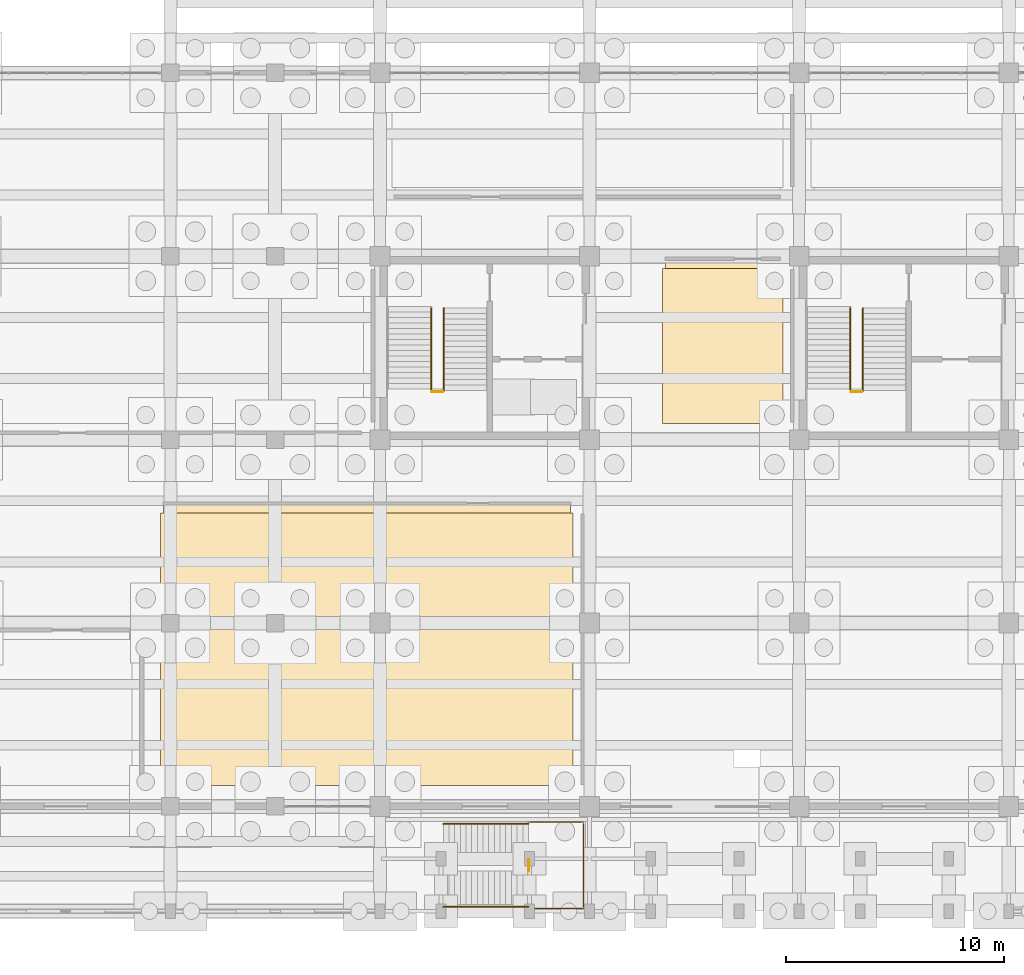
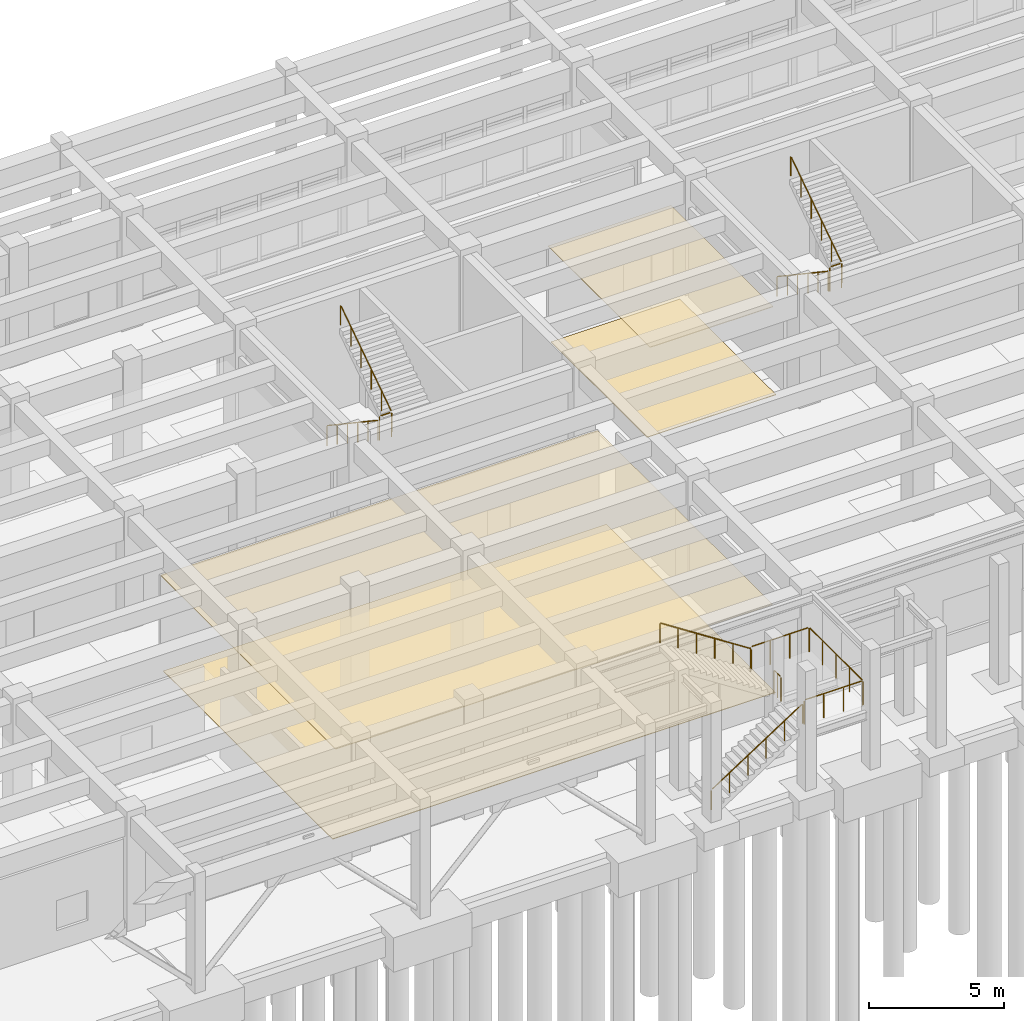
# One storey, part 91 of 102: 10 railings, 4 coverings.
"""IFC4 building model written with IfcOpenShell, lengths in metres."""

from ifc_helpers import new_model, si_unit, direction, frame, origin, origin_2d, place, context, subcontext, project, spatial, polyline, circle, outline, extrude, material, layer, layer_set, type_object, element, save


model = new_model("IFC4")

# Units and contexts
model_context = context("Model", 3, precision=1e-05, world=origin(), true_north=direction((0.0, 1.0)))
body_context = subcontext(model_context, "Body", "Model", "MODEL_VIEW")
ifc_project = project(units=[si_unit("LENGTHUNIT", "METRE"), si_unit("AREAUNIT", "SQUARE_METRE"), si_unit("VOLUMEUNIT", "CUBIC_METRE"), si_unit("PLANEANGLEUNIT", "RADIAN"), si_unit("MASSUNIT", "GRAM", prefix="KILO")], contexts=[model_context])

# Site, building, storey
site_placement = place(None, origin())
site = spatial("IfcSite", under=ifc_project, at=site_placement, CompositionType="ELEMENT")
building_placement = place(site_placement, origin())
building = spatial("IfcBuilding", under=site, at=building_placement, Name="Kolvemor Railside Polytechnic", CompositionType="ELEMENT")
storey_placement = place(building_placement, origin())
storey = spatial("IfcBuildingStorey", under=building, at=storey_placement, Name="L00", CompositionType="ELEMENT", Elevation=0.0)

# Coverings
ifc_material_1 = material(Name="Perforated acoustic mineral-fibre and timber-slat ceiling", Category="wood")
ifc_layer_1 = layer(ifc_material_1, 0.030029296875, Name="COV-CEIL-2")
ifc_layer_set_1 = layer_set([ifc_layer_1], Name="Perforated acoustic mineral-fibre and timber-slat ceiling")
covering_type_1 = type_object("IfcCoveringType", Name="COV-CEIL-2", PredefinedType="CEILING", material=ifc_layer_set_1)
covering_1_placement = place(storey_placement, frame((0.0, 0.0, 4.010009765625)))
element("IfcCovering", 1, at=covering_1_placement, inside=storey, type_object=covering_type_1, Name="Campus Admissions and Registry Office Acoustic Ceiling", PredefinedType="CEILING", context=body_context, shape_type="SweptSolid", body=[
    extrude(outline(polyline([(57.280029296875, 5.75), (75.919921875, 5.75), (75.919921875, 18.679931640625), (57.280029296875, 18.679931640625), (57.280029296875, 5.75)])), origin(), (0.0, 0.0, 1.0), 0.030029296875),
])
covering_2_placement = place(storey_placement, frame((0.0, 0.0, 4.010009765625)))
element("IfcCovering", 2, at=covering_2_placement, inside=storey, type_object=covering_type_1, Name="Thermodynamics and Solar Energy Laboratory Acoustic Ceiling", PredefinedType="CEILING", context=body_context, shape_type="SweptSolid", body=[
    extrude(outline(polyline([(80.280029296875, 22.35009765625), (85.52001953125, 22.35009765625), (85.52001953125, 29.8798828125), (80.280029296875, 29.8798828125), (80.280029296875, 22.35009765625)])), origin(), (0.0, 0.0, 1.0), 0.030029296875),
])
ifc_material_2 = material(Name="Polished coral-aggregate terrazzo and laboratory epoxy flooring")
ifc_layer_2 = layer(ifc_material_2, 0.02490234375, Name="COV-FLR-2")
ifc_layer_set_2 = layer_set([ifc_layer_2], Name="Polished coral-aggregate terrazzo and laboratory epoxy flooring")
covering_type_2 = type_object("IfcCoveringType", Name="COV-FLR-2", PredefinedType="FLOORING", material=ifc_layer_set_2)
covering_3_placement = place(storey_placement, origin())
element("IfcCovering", 3, at=covering_3_placement, inside=storey, type_object=covering_type_2, Name="Campus Admissions and Registry Office Floor Finish", PredefinedType="FLOORING", context=body_context, shape_type="SweptSolid", body=[
    extrude(outline(polyline([(57.14990234375, 5.75), (76.050048828125, 5.75), (76.050048828125, 18.25), (57.14990234375, 18.25), (57.14990234375, 5.75)])), origin(), (0.0, 0.0, 1.0), 0.02490234375),
])
covering_4_placement = place(storey_placement, origin())
element("IfcCovering", 4, at=covering_4_placement, inside=storey, type_object=covering_type_2, Name="Thermodynamics and Solar Energy Laboratory Floor Finish", PredefinedType="FLOORING", context=body_context, shape_type="SweptSolid", body=[
    extrude(outline(polyline([(80.14990234375, 22.35009765625), (85.64990234375, 22.35009765625), (85.64990234375, 29.449951171875), (80.14990234375, 29.449951171875), (80.14990234375, 22.35009765625)])), origin(), (0.0, 0.0, 1.0), 0.02490234375),
])

# Railings
ifc_material_3 = material(Name="AISI 316 marine stainless-steel balustrade guard", Category="steel")
railing_type_1 = type_object("IfcRailingType", Name="RLG-GUARD-1120", PredefinedType="BALUSTRADE", material=ifc_material_3)
for number, where, name in (
    (5, (69.580078125, 23.800048828125, 2.699951171875), "ST-1 Half-Landing Slot Guard L00"),
    (6, (88.780029296875, 23.800048828125, 2.699951171875), "ST-3 Half-Landing Slot Guard L00"),
):
    element("IfcRailing", number, at=place(storey_placement, frame(where)), inside=storey, type_object=railing_type_1, Name=name, PredefinedType="BALUSTRADE", context=body_context, shape_type="SweptSolid", body=[
        extrude(circle(Radius=0.02392578125, at=origin_2d()), frame((0.054931640625, 0.0, 1.09619140625), z_axis=(1.0, 0.0, 0.0), x_axis=(0.0, 1.0, 0.0)), (0.0, 0.0, 1.0), 0.389892578125),
        extrude(circle(Radius=0.02099609375, at=origin_2d()), origin(), (0.0, 0.0, 1.0), 1.05712890625),
        extrude(circle(Radius=0.02099609375, at=origin_2d()), frame((0.5, 0.0, 0.0)), (0.0, 0.0, 1.0), 1.05712890625),
    ])
railing_1_placement = place(storey_placement, frame((74.02001953125, 0.1201171875, 2.699951171875)))
element("IfcRailing", 7, at=railing_1_placement, inside=storey, type_object=railing_type_1, Name="ST-EXT Half-Landing Perimeter Guard L00", PredefinedType="BALUSTRADE", context=body_context, shape_type="SweptSolid", body=[
    extrude(circle(Radius=0.02392578125, at=origin_2d()), frame((0.054931640625, 0.0, 1.09619140625), z_axis=(1.0, 0.0, 0.0), x_axis=(0.0, 1.0, 0.0)), (0.0, 0.0, 1.0), 2.389892578125),
    extrude(circle(Radius=0.02392578125, at=origin_2d()), frame((2.5, 0.054931640625, 1.09619140625), z_axis=(0.0, 1.0, 0.0), x_axis=(-1.0, 0.0, 0.0)), (0.0, 0.0, 1.0), 3.849853515625),
    extrude(circle(Radius=0.02392578125, at=origin_2d()), frame((2.445068359375, 3.9599609375, 1.09619140625), z_axis=(-1.0, 0.0, 0.0), x_axis=(0.0, -1.0, 0.0)), (0.0, 0.0, 1.0), 2.389892578125),
    extrude(circle(Radius=0.02099609375, at=origin_2d()), origin(), (0.0, 0.0, 1.0), 1.05712890625),
    extrude(circle(Radius=0.02099609375, at=origin_2d()), frame((0.833251953125, 0.0, 0.0)), (0.0, 0.0, 1.0), 1.05712890625),
    extrude(circle(Radius=0.02099609375, at=origin_2d()), frame((1.666748046875, 0.0, 0.0)), (0.0, 0.0, 1.0), 1.05712890625),
    extrude(circle(Radius=0.02099609375, at=origin_2d()), frame((2.5, 0.0, 0.0)), (0.0, 0.0, 1.0), 1.05712890625),
    extrude(circle(Radius=0.02099609375, at=origin_2d()), frame((2.5, 0.989990234375, 0.0)), (0.0, 0.0, 1.0), 1.05712890625),
    extrude(circle(Radius=0.02099609375, at=origin_2d()), frame((2.5, 1.97998046875, 0.0)), (0.0, 0.0, 1.0), 1.05712890625),
    extrude(circle(Radius=0.02099609375, at=origin_2d()), frame((2.5, 2.969970703125, 0.0)), (0.0, 0.0, 1.0), 1.05712890625),
    extrude(circle(Radius=0.02099609375, at=origin_2d()), frame((2.5, 3.9599609375, 0.0)), (0.0, 0.0, 1.0), 1.05712890625),
    extrude(circle(Radius=0.02099609375, at=origin_2d()), frame((1.666748046875, 3.9599609375, 0.0)), (0.0, 0.0, 1.0), 1.05712890625),
    extrude(circle(Radius=0.02099609375, at=origin_2d()), frame((0.833251953125, 3.9599609375, 0.0)), (0.0, 0.0, 1.0), 1.05712890625),
    extrude(circle(Radius=0.02099609375, at=origin_2d()), frame((0.0, 3.9599609375, 0.0)), (0.0, 0.0, 1.0), 1.05712890625),
])
railing_2_placement = place(storey_placement, frame((74.02001953125, 1.840087890625, 2.699951171875)))
element("IfcRailing", 8, at=railing_2_placement, inside=storey, type_object=railing_type_1, Name="ST-EXT Half-Landing Slot Guard L00", PredefinedType="BALUSTRADE", context=body_context, shape_type="SweptSolid", body=[
    extrude(circle(Radius=0.02392578125, at=origin_2d()), frame((0.0, 0.054931640625, 1.09619140625), z_axis=(0.0, 1.0, 0.0), x_axis=(-1.0, 0.0, 0.0)), (0.0, 0.0, 1.0), 0.409912109375),
    extrude(circle(Radius=0.02099609375, at=origin_2d()), origin(), (0.0, 0.0, 1.0), 1.05712890625),
    extrude(circle(Radius=0.02099609375, at=origin_2d()), frame((0.0, 0.260009765625, 0.0)), (0.0, 0.0, 1.0), 1.05712890625),
    extrude(circle(Radius=0.02099609375, at=origin_2d()), frame((0.0, 0.52001953125, 0.0)), (0.0, 0.0, 1.0), 1.05712890625),
])
ifc_material_4 = material(Name="Brushed AISI 316 stainless-steel stair handrail", Category="steel")
railing_type_2 = type_object("IfcRailingType", Name="RLG-HANDRAIL-920", PredefinedType="HANDRAIL", material=ifc_material_4)
railing_3_placement = place(storey_placement, frame((69.5400390625, 27.6201171875, 0.168701171875)))
element("IfcRailing", 9, at=railing_3_placement, inside=storey, type_object=railing_type_2, Name="ST-1 Flight 1 Handrail L00", PredefinedType="HANDRAIL", context=body_context, shape_type="SweptSolid", body=[
    extrude(circle(Radius=0.02392578125, at=origin_2d()), frame((0.0, -0.045654296875, 0.926513671875), z_axis=(0.0, -0.830909170722, 0.55640807867), x_axis=(1.0, 0.0, 0.0)), (0.0, 0.0, 1.0), 4.439208984375),
    extrude(circle(Radius=0.02099609375, at=origin_2d()), origin(), (0.0, 0.0, 1.0), 0.85693359375),
    extrude(circle(Radius=0.02099609375, at=origin_2d()), frame((0.0, -0.756103515625, 0.50634765625)), (0.0, 0.0, 1.0), 0.85693359375),
    extrude(circle(Radius=0.02099609375, at=origin_2d()), frame((0.0, -1.511962890625, 1.012451171875)), (0.0, 0.0, 1.0), 0.85693359375),
    extrude(circle(Radius=0.02099609375, at=origin_2d()), frame((0.0, -2.26806640625, 1.518798828125)), (0.0, 0.0, 1.0), 0.85693359375),
    extrude(circle(Radius=0.02099609375, at=origin_2d()), frame((0.0, -3.02392578125, 2.02490234375)), (0.0, 0.0, 1.0), 0.85693359375),
    extrude(circle(Radius=0.02099609375, at=origin_2d()), frame((0.0, -3.780029296875, 2.53125)), (0.0, 0.0, 1.0), 0.85693359375),
])
railing_4_placement = place(storey_placement, frame((70.1201171875, 23.840087890625, 2.86865234375)))
element("IfcRailing", 10, at=railing_4_placement, inside=storey, type_object=railing_type_2, Name="ST-1 Flight 2 Handrail L00", PredefinedType="HANDRAIL", context=body_context, shape_type="SweptSolid", body=[
    extrude(circle(Radius=0.02392578125, at=origin_2d()), frame((0.0, 0.045654296875, 0.926513671875), z_axis=(0.0, 0.830909170722, 0.55640807867), x_axis=(-1.0, 0.0, 0.0)), (0.0, 0.0, 1.0), 4.439208984375),
    extrude(circle(Radius=0.02099609375, at=origin_2d()), origin(), (0.0, 0.0, 1.0), 0.85693359375),
    extrude(circle(Radius=0.02099609375, at=origin_2d()), frame((0.0, 0.756103515625, 0.50634765625)), (0.0, 0.0, 1.0), 0.85693359375),
    extrude(circle(Radius=0.02099609375, at=origin_2d()), frame((0.0, 1.511962890625, 1.012451171875)), (0.0, 0.0, 1.0), 0.85693359375),
    extrude(circle(Radius=0.02099609375, at=origin_2d()), frame((0.0, 2.26806640625, 1.518798828125)), (0.0, 0.0, 1.0), 0.85693359375),
    extrude(circle(Radius=0.02099609375, at=origin_2d()), frame((0.0, 3.02392578125, 2.02490234375)), (0.0, 0.0, 1.0), 0.85693359375),
    extrude(circle(Radius=0.02099609375, at=origin_2d()), frame((0.0, 3.780029296875, 2.53125)), (0.0, 0.0, 1.0), 0.85693359375),
])
railing_5_placement = place(storey_placement, frame((88.739990234375, 27.6201171875, 0.168701171875)))
element("IfcRailing", 11, at=railing_5_placement, inside=storey, type_object=railing_type_2, Name="ST-3 Flight 1 Handrail L00", PredefinedType="HANDRAIL", context=body_context, shape_type="SweptSolid", body=[
    extrude(circle(Radius=0.02392578125, at=origin_2d()), frame((0.0, -0.045654296875, 0.926513671875), z_axis=(0.0, -0.830909170722, 0.55640807867), x_axis=(1.0, 0.0, 0.0)), (0.0, 0.0, 1.0), 4.439208984375),
    extrude(circle(Radius=0.02099609375, at=origin_2d()), origin(), (0.0, 0.0, 1.0), 0.85693359375),
    extrude(circle(Radius=0.02099609375, at=origin_2d()), frame((0.0, -0.756103515625, 0.50634765625)), (0.0, 0.0, 1.0), 0.85693359375),
    extrude(circle(Radius=0.02099609375, at=origin_2d()), frame((0.0, -1.511962890625, 1.012451171875)), (0.0, 0.0, 1.0), 0.85693359375),
    extrude(circle(Radius=0.02099609375, at=origin_2d()), frame((0.0, -2.26806640625, 1.518798828125)), (0.0, 0.0, 1.0), 0.85693359375),
    extrude(circle(Radius=0.02099609375, at=origin_2d()), frame((0.0, -3.02392578125, 2.02490234375)), (0.0, 0.0, 1.0), 0.85693359375),
    extrude(circle(Radius=0.02099609375, at=origin_2d()), frame((0.0, -3.780029296875, 2.53125)), (0.0, 0.0, 1.0), 0.85693359375),
])
railing_6_placement = place(storey_placement, frame((89.320068359375, 23.840087890625, 2.86865234375)))
element("IfcRailing", 12, at=railing_6_placement, inside=storey, type_object=railing_type_2, Name="ST-3 Flight 2 Handrail L00", PredefinedType="HANDRAIL", context=body_context, shape_type="SweptSolid", body=[
    extrude(circle(Radius=0.02392578125, at=origin_2d()), frame((0.0, 0.045654296875, 0.926513671875), z_axis=(0.0, 0.830909170722, 0.55640807867), x_axis=(-1.0, 0.0, 0.0)), (0.0, 0.0, 1.0), 4.439208984375),
    extrude(circle(Radius=0.02099609375, at=origin_2d()), origin(), (0.0, 0.0, 1.0), 0.85693359375),
    extrude(circle(Radius=0.02099609375, at=origin_2d()), frame((0.0, 0.756103515625, 0.50634765625)), (0.0, 0.0, 1.0), 0.85693359375),
    extrude(circle(Radius=0.02099609375, at=origin_2d()), frame((0.0, 1.511962890625, 1.012451171875)), (0.0, 0.0, 1.0), 0.85693359375),
    extrude(circle(Radius=0.02099609375, at=origin_2d()), frame((0.0, 2.26806640625, 1.518798828125)), (0.0, 0.0, 1.0), 0.85693359375),
    extrude(circle(Radius=0.02099609375, at=origin_2d()), frame((0.0, 3.02392578125, 2.02490234375)), (0.0, 0.0, 1.0), 0.85693359375),
    extrude(circle(Radius=0.02099609375, at=origin_2d()), frame((0.0, 3.780029296875, 2.53125)), (0.0, 0.0, 1.0), 0.85693359375),
])
railing_7_placement = place(storey_placement, frame((70.10009765625, 0.199951171875, 0.168701171875)))
element("IfcRailing", 13, at=railing_7_placement, inside=storey, type_object=railing_type_2, Name="ST-EXT Flight 1 Handrail L00", PredefinedType="HANDRAIL", context=body_context, shape_type="SweptSolid", body=[
    extrude(circle(Radius=0.02392578125, at=origin_2d()), frame((0.046142578125, 0.0, 0.92578125), z_axis=(0.838805745541, 0.0, 0.544430823198), x_axis=(0.0, 1.0, 0.0)), (0.0, 0.0, 1.0), 4.539306640625),
    extrude(circle(Radius=0.02099609375, at=origin_2d()), origin(), (0.0, 0.0, 1.0), 0.85693359375),
    extrude(circle(Radius=0.02099609375, at=origin_2d()), frame((0.780029296875, 0.0, 0.50634765625)), (0.0, 0.0, 1.0), 0.85693359375),
    extrude(circle(Radius=0.02099609375, at=origin_2d()), frame((1.56005859375, 0.0, 1.012451171875)), (0.0, 0.0, 1.0), 0.85693359375),
    extrude(circle(Radius=0.02099609375, at=origin_2d()), frame((2.33984375, 0.0, 1.518798828125)), (0.0, 0.0, 1.0), 0.85693359375),
    extrude(circle(Radius=0.02099609375, at=origin_2d()), frame((3.119873046875, 0.0, 2.02490234375)), (0.0, 0.0, 1.0), 0.85693359375),
    extrude(circle(Radius=0.02099609375, at=origin_2d()), frame((3.89990234375, 0.0, 2.53125)), (0.0, 0.0, 1.0), 0.85693359375),
])
railing_8_placement = place(storey_placement, frame((74.0, 4.0, 2.86865234375)))
element("IfcRailing", 14, at=railing_8_placement, inside=storey, type_object=railing_type_2, Name="ST-EXT Flight 2 Handrail L00", PredefinedType="HANDRAIL", context=body_context, shape_type="SweptSolid", body=[
    extrude(circle(Radius=0.02392578125, at=origin_2d()), frame((-0.046142578125, 0.0, 0.92578125), z_axis=(-0.838805745541, 0.0, 0.544430823198), x_axis=(0.0, -1.0, 0.0)), (0.0, 0.0, 1.0), 4.539306640625),
    extrude(circle(Radius=0.02099609375, at=origin_2d()), origin(), (0.0, 0.0, 1.0), 0.85693359375),
    extrude(circle(Radius=0.02099609375, at=origin_2d()), frame((-0.780029296875, 0.0, 0.50634765625)), (0.0, 0.0, 1.0), 0.85693359375),
    extrude(circle(Radius=0.02099609375, at=origin_2d()), frame((-1.56005859375, 0.0, 1.012451171875)), (0.0, 0.0, 1.0), 0.85693359375),
    extrude(circle(Radius=0.02099609375, at=origin_2d()), frame((-2.33984375, 0.0, 1.518798828125)), (0.0, 0.0, 1.0), 0.85693359375),
    extrude(circle(Radius=0.02099609375, at=origin_2d()), frame((-3.119873046875, 0.0, 2.02490234375)), (0.0, 0.0, 1.0), 0.85693359375),
    extrude(circle(Radius=0.02099609375, at=origin_2d()), frame((-3.89990234375, 0.0, 2.53125)), (0.0, 0.0, 1.0), 0.85693359375),
])

save(model, "model.ifc")
